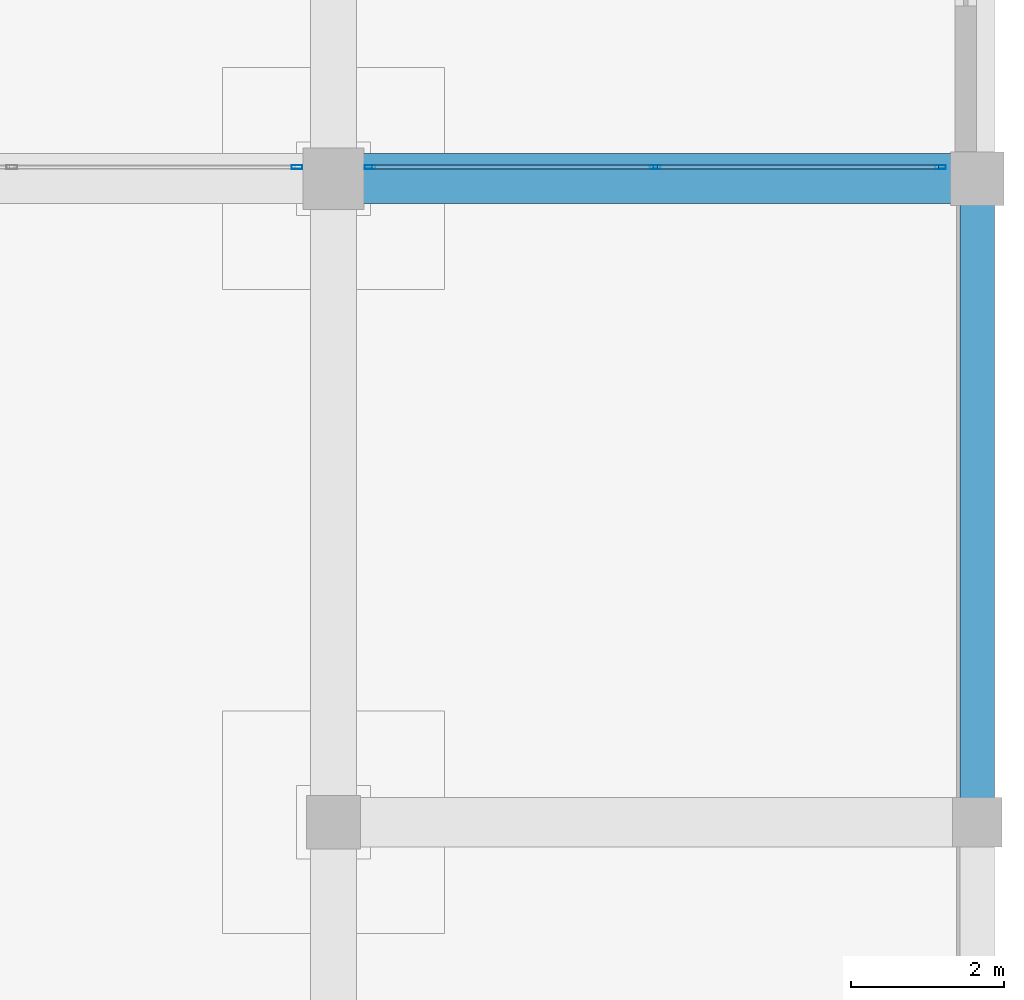
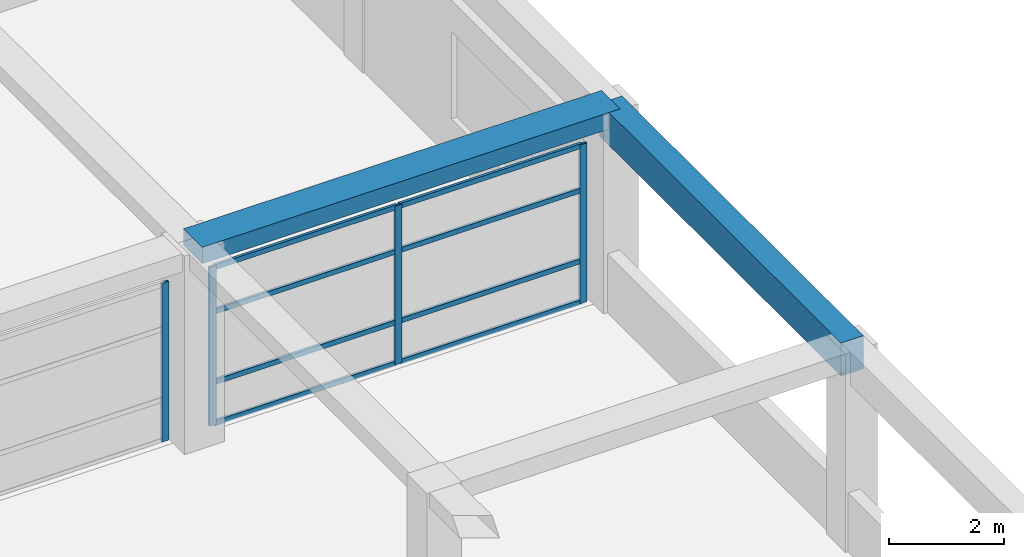
# One storey, part 57 of 85: 12 members, 2 beams, 2 elements without a shape of their own.
"""IFC4 building model written with IfcOpenShell, lengths in metres."""

from ifc_helpers import new_model, si_unit, direction, frame, origin, origin_2d, place, context, subcontext, project, spatial, rectangle, hollow_rectangle, extrude, material, material_profile, profile_set, type_object, element, aggregate, save


model = new_model("IFC4")

# Units and contexts
model_context = context("Model", 3, precision=1e-05, world=origin(), true_north=direction((0.0, 1.0)))
body_context = subcontext(model_context, "Body", "Model", "MODEL_VIEW")
ifc_project = project(units=[si_unit("LENGTHUNIT", "METRE"), si_unit("AREAUNIT", "SQUARE_METRE"), si_unit("VOLUMEUNIT", "CUBIC_METRE"), si_unit("PLANEANGLEUNIT", "RADIAN"), si_unit("MASSUNIT", "GRAM", prefix="KILO")], contexts=[model_context])

# Site, building, storey
site_placement = place(None, origin())
site = spatial("IfcSite", under=ifc_project, at=site_placement, CompositionType="ELEMENT")
building_placement = place(site_placement, origin())
building = spatial("IfcBuilding", under=site, at=building_placement, Name="Almacenes y Pasaje Nevantli", CompositionType="ELEMENT")
storey_placement = place(building_placement, frame((0.0, 0.0, 22.199951171875)))
storey = spatial("IfcBuildingStorey", under=building, at=storey_placement, Name="L05", CompositionType="ELEMENT", Elevation=22.199951171875)

# Beams
ifc_material_1 = material(Name="Concrete C35/45", Category="concrete")
ifc_material_profile_1 = material_profile(ifc_material_1, rectangle(XDim=0.449951171875, YDim=0.699951171875, at=origin_2d()), Name="RC-BM-450x700")
ifc_profile_set_1 = profile_set([ifc_material_profile_1], Name="Concrete C35/45")
beam_type_1 = type_object("IfcBeamType", Name="BM-RC-450x700", PredefinedType="SPANDREL", material=ifc_profile_set_1)
beam_1_placement = place(storey_placement, frame((168.0, 58.800048828125, 3.8701171875), z_axis=(0.0, 1.0, 0.0), x_axis=(-1.0, 0.0, 0.0)))
element("IfcBeam", 1, at=beam_1_placement, inside=storey, type_object=beam_type_1, Name="L05 North-South Reinforced Concrete Beam #3566", PredefinedType="SPANDREL", context=body_context, shape_type="SweptSolid", body=[
    extrude(rectangle(XDim=0.449951171875, YDim=0.699951171875, at=origin_2d()), origin(), (0.0, 0.0, 1.0), 8.39990234375),
])
ifc_material_2 = material(Name="Concrete C35/45", Category="concrete")
ifc_material_profile_2 = material_profile(ifc_material_2, rectangle(XDim=0.64990234375, YDim=0.35009765625, at=origin_2d()), Name="RC-BM-650x350")
ifc_profile_set_2 = profile_set([ifc_material_profile_2], Name="Concrete C35/45")
beam_type_2 = type_object("IfcBeamType", Name="BM-RC-650x350", PredefinedType="BEAM", material=ifc_profile_set_2)
beam_2_placement = place(storey_placement, frame((159.60009765625, 67.199951171875, 4.045166015625), z_axis=(1.0, 0.0, 0.0), x_axis=(0.0, 1.0, 0.0)))
element("IfcBeam", 2, at=beam_2_placement, inside=storey, type_object=beam_type_2, Name="L05 East-West Reinforced Concrete Beam #3319", PredefinedType="BEAM", context=body_context, shape_type="SweptSolid", body=[
    extrude(rectangle(XDim=0.64990234375, YDim=0.35009765625, at=origin_2d()), origin(), (0.0, 0.0, 1.0), 8.39990234375),
])

# Curtain wall, member
ifc_material_3 = material(Name="Thermally Broken Aluminium and Low-E Glass", Category="aluminium")
curtain_wall_type = type_object("IfcCurtainWallType", Name="CW-STF-ATRIUM", PredefinedType="USERDEFINED", material=ifc_material_3)
curtain_wall_1_placement = place(storey_placement, origin())
curtain_wall_1 = element("IfcCurtainWall", 3, at=curtain_wall_1_placement, inside=storey, type_object=curtain_wall_type, Name="L05 Sky-Lobby South Terrace Glazing Bay 19", ObjectType="STOREFRONT GLAZING", PredefinedType="USERDEFINED")
ifc_material_4 = material(Name="Thermally Broken Anodized Aluminium", Category="aluminium")
ifc_material_profile_3 = material_profile(ifc_material_4, hollow_rectangle(XDim=0.054931640625, YDim=0.139892578125, WallThickness=0.00341796875, at=origin_2d()), Name="ALU-MUL-55x140")
ifc_profile_set_3 = profile_set([ifc_material_profile_3], Name="Thermally Broken Anodized Aluminium")
member_type_1 = type_object("IfcMemberType", Name="CW-MUL-160", PredefinedType="MULLION", material=ifc_profile_set_3)
member_1_placement = place(storey_placement, frame((159.12255859375, 67.35009765625, 0.0), z_axis=(0.0, 0.0, 1.0), x_axis=(0.0, 1.0, 0.0)))
member_1 = element("IfcMember", 4, at=member_1_placement, type_object=member_type_1, Name="CW-L05-093 mullion 3", PredefinedType="MULLION", context=body_context, shape_type="SweptSolid", body=[
    extrude(hollow_rectangle(XDim=0.054931640625, YDim=0.139892578125, WallThickness=0.00341796875, at=origin_2d()), origin(), (0.0, 0.0, 1.0), 3.3701171875),
])
aggregate(curtain_wall_1, [member_1])

# Curtain wall, members
curtain_wall_2_placement = place(storey_placement, origin())
curtain_wall_2 = element("IfcCurtainWall", 5, at=curtain_wall_2_placement, inside=storey, type_object=curtain_wall_type, Name="L05 Sky-Lobby South Terrace Glazing Bay 20", ObjectType="STOREFRONT GLAZING", PredefinedType="USERDEFINED")
member_2_placement = place(storey_placement, frame((160.077392578125, 67.35009765625, 0.0), z_axis=(0.0, 0.0, 1.0), x_axis=(0.0, 1.0, 0.0)))
member_2 = element("IfcMember", 6, at=member_2_placement, type_object=member_type_1, Name="CW-L05-095 mullion 1", PredefinedType="MULLION", context=body_context, shape_type="SweptSolid", body=[
    extrude(hollow_rectangle(XDim=0.054931640625, YDim=0.139892578125, WallThickness=0.00341796875, at=origin_2d()), origin(), (0.0, 0.0, 1.0), 3.3701171875),
])
member_3_placement = place(storey_placement, frame((163.800048828125, 67.35009765625, 0.0), z_axis=(0.0, 0.0, 1.0), x_axis=(0.0, 1.0, 0.0)))
member_3 = element("IfcMember", 7, at=member_3_placement, type_object=member_type_1, Name="CW-L05-095 mullion 2", PredefinedType="MULLION", context=body_context, shape_type="SweptSolid", body=[
    extrude(hollow_rectangle(XDim=0.054931640625, YDim=0.139892578125, WallThickness=0.00341796875, at=origin_2d()), origin(), (0.0, 0.0, 1.0), 3.3701171875),
])
member_4_placement = place(storey_placement, frame((167.5224609375, 67.35009765625, 0.0), z_axis=(0.0, 0.0, 1.0), x_axis=(0.0, 1.0, 0.0)))
member_4 = element("IfcMember", 8, at=member_4_placement, type_object=member_type_1, Name="CW-L05-095 mullion 3", PredefinedType="MULLION", context=body_context, shape_type="SweptSolid", body=[
    extrude(hollow_rectangle(XDim=0.054931640625, YDim=0.139892578125, WallThickness=0.00341796875, at=origin_2d()), origin(), (0.0, 0.0, 1.0), 3.3701171875),
])
ifc_material_5 = material(Name="Thermally Broken Anodized Aluminium", Category="aluminium")
ifc_material_profile_4 = material_profile(ifc_material_5, hollow_rectangle(XDim=0.054931640625, YDim=0.10498046875, WallThickness=0.003173828125, at=origin_2d()), Name="ALU-TRN-55x105")
ifc_profile_set_4 = profile_set([ifc_material_profile_4], Name="Thermally Broken Anodized Aluminium")
member_type_2 = type_object("IfcMemberType", Name="CW-TRN-120", PredefinedType="USERDEFINED", material=ifc_profile_set_4)
member_5_placement = place(storey_placement, frame((160.10498046875, 67.35009765625, 0.027587890625), z_axis=(1.0, 0.0, 0.0), x_axis=(0.0, 1.0, 0.0)))
member_5 = element("IfcMember", 9, at=member_5_placement, type_object=member_type_2, Name="CW-L05-095 transom 1.1", ObjectType="TRANSOM", PredefinedType="USERDEFINED", context=body_context, shape_type="SweptSolid", body=[
    extrude(hollow_rectangle(XDim=0.054931640625, YDim=0.10498046875, WallThickness=0.003173828125, at=origin_2d()), origin(), (0.0, 0.0, 1.0), 3.66748046875),
])
member_6_placement = place(storey_placement, frame((160.10498046875, 67.35009765625, 0.900146484375), z_axis=(1.0, 0.0, 0.0), x_axis=(0.0, 1.0, 0.0)))
member_6 = element("IfcMember", 10, at=member_6_placement, type_object=member_type_2, Name="CW-L05-095 transom 1.2", ObjectType="TRANSOM", PredefinedType="USERDEFINED", context=body_context, shape_type="SweptSolid", body=[
    extrude(hollow_rectangle(XDim=0.054931640625, YDim=0.10498046875, WallThickness=0.003173828125, at=origin_2d()), origin(), (0.0, 0.0, 1.0), 3.66748046875),
])
member_7_placement = place(storey_placement, frame((160.10498046875, 67.35009765625, 2.400146484375), z_axis=(1.0, 0.0, 0.0), x_axis=(0.0, 1.0, 0.0)))
member_7 = element("IfcMember", 11, at=member_7_placement, type_object=member_type_2, Name="CW-L05-095 transom 1.3", ObjectType="TRANSOM", PredefinedType="USERDEFINED", context=body_context, shape_type="SweptSolid", body=[
    extrude(hollow_rectangle(XDim=0.054931640625, YDim=0.10498046875, WallThickness=0.003173828125, at=origin_2d()), origin(), (0.0, 0.0, 1.0), 3.66748046875),
])
member_8_placement = place(storey_placement, frame((160.10498046875, 67.35009765625, 3.342529296875), z_axis=(1.0, 0.0, 0.0), x_axis=(0.0, 1.0, 0.0)))
member_8 = element("IfcMember", 12, at=member_8_placement, type_object=member_type_2, Name="CW-L05-095 transom 1.4", ObjectType="TRANSOM", PredefinedType="USERDEFINED", context=body_context, shape_type="SweptSolid", body=[
    extrude(hollow_rectangle(XDim=0.054931640625, YDim=0.10498046875, WallThickness=0.003173828125, at=origin_2d()), origin(), (0.0, 0.0, 1.0), 3.66748046875),
])
member_9_placement = place(storey_placement, frame((163.827392578125, 67.35009765625, 0.027587890625), z_axis=(1.0, 0.0, 0.0), x_axis=(0.0, 1.0, 0.0)))
member_9 = element("IfcMember", 13, at=member_9_placement, type_object=member_type_2, Name="CW-L05-095 transom 2.1", ObjectType="TRANSOM", PredefinedType="USERDEFINED", context=body_context, shape_type="SweptSolid", body=[
    extrude(hollow_rectangle(XDim=0.054931640625, YDim=0.10498046875, WallThickness=0.003173828125, at=origin_2d()), origin(), (0.0, 0.0, 1.0), 3.667724609375),
])
member_10_placement = place(storey_placement, frame((163.827392578125, 67.35009765625, 0.900146484375), z_axis=(1.0, 0.0, 0.0), x_axis=(0.0, 1.0, 0.0)))
member_10 = element("IfcMember", 14, at=member_10_placement, type_object=member_type_2, Name="CW-L05-095 transom 2.2", ObjectType="TRANSOM", PredefinedType="USERDEFINED", context=body_context, shape_type="SweptSolid", body=[
    extrude(hollow_rectangle(XDim=0.054931640625, YDim=0.10498046875, WallThickness=0.003173828125, at=origin_2d()), origin(), (0.0, 0.0, 1.0), 3.667724609375),
])
member_11_placement = place(storey_placement, frame((163.827392578125, 67.35009765625, 2.400146484375), z_axis=(1.0, 0.0, 0.0), x_axis=(0.0, 1.0, 0.0)))
member_11 = element("IfcMember", 15, at=member_11_placement, type_object=member_type_2, Name="CW-L05-095 transom 2.3", ObjectType="TRANSOM", PredefinedType="USERDEFINED", context=body_context, shape_type="SweptSolid", body=[
    extrude(hollow_rectangle(XDim=0.054931640625, YDim=0.10498046875, WallThickness=0.003173828125, at=origin_2d()), origin(), (0.0, 0.0, 1.0), 3.667724609375),
])
member_12_placement = place(storey_placement, frame((163.827392578125, 67.35009765625, 3.342529296875), z_axis=(1.0, 0.0, 0.0), x_axis=(0.0, 1.0, 0.0)))
member_12 = element("IfcMember", 16, at=member_12_placement, type_object=member_type_2, Name="CW-L05-095 transom 2.4", ObjectType="TRANSOM", PredefinedType="USERDEFINED", context=body_context, shape_type="SweptSolid", body=[
    extrude(hollow_rectangle(XDim=0.054931640625, YDim=0.10498046875, WallThickness=0.003173828125, at=origin_2d()), origin(), (0.0, 0.0, 1.0), 3.667724609375),
])
aggregate(curtain_wall_2, [member_2, member_3, member_4, member_5, member_6, member_7, member_8, member_9, member_10, member_11, member_12])

save(model, "model.ifc")
